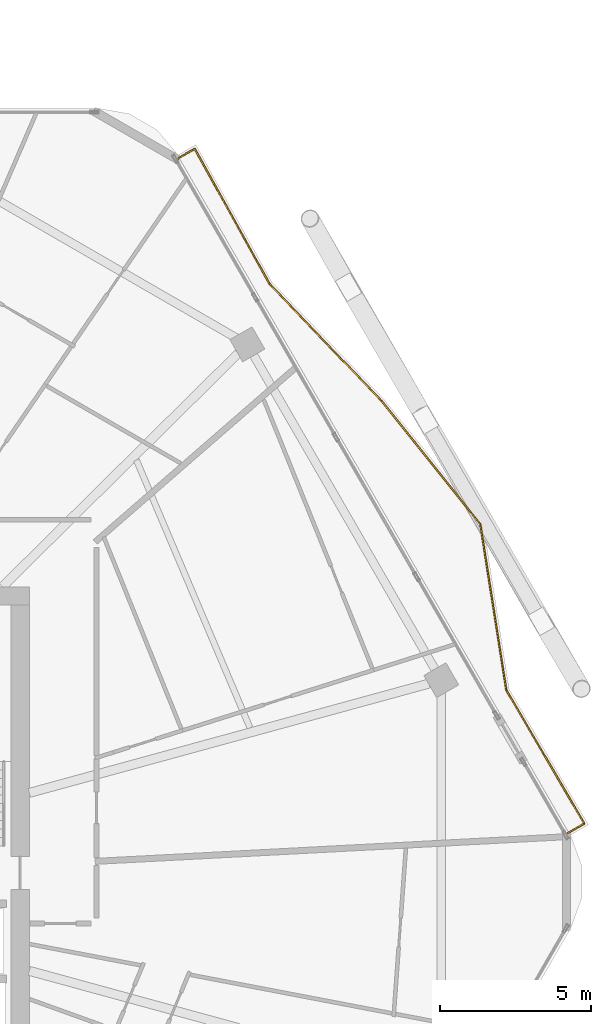
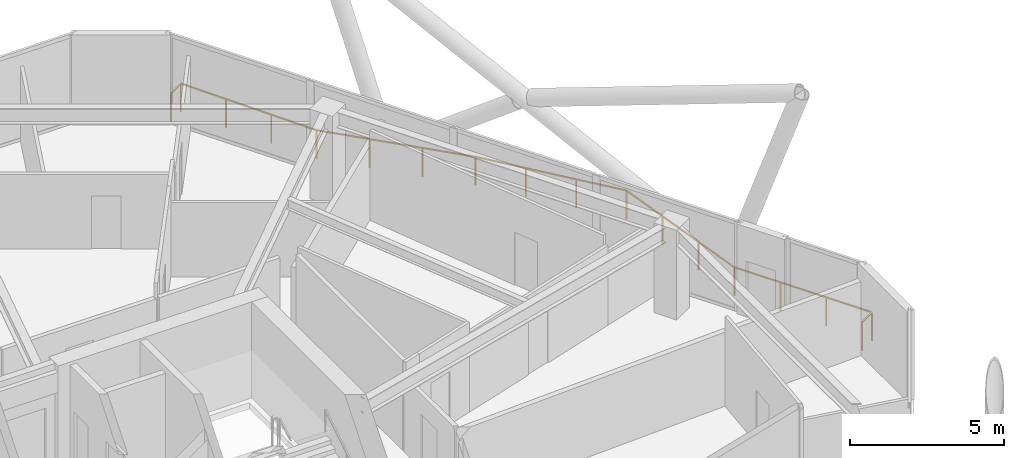
# One storey, part 28 of 28: 1 railing.
"""IFC4 building model written with IfcOpenShell, lengths in metres."""

from ifc_helpers import new_model, si_unit, direction, frame, origin, origin_2d, place, context, subcontext, project, spatial, rectangle, extrude, material, type_object, element, save


model = new_model("IFC4")

# Units and contexts
model_context = context("Model", 3, precision=1e-05, world=origin(), true_north=direction((0.0, 1.0)))
body_context = subcontext(model_context, "Body", "Model", "MODEL_VIEW")
ifc_project = project(units=[si_unit("LENGTHUNIT", "METRE"), si_unit("AREAUNIT", "SQUARE_METRE"), si_unit("VOLUMEUNIT", "CUBIC_METRE"), si_unit("PLANEANGLEUNIT", "RADIAN"), si_unit("MASSUNIT", "GRAM", prefix="KILO")], contexts=[model_context])

# Site, building, storey
site_placement = place(None, origin())
site = spatial("IfcSite", under=ifc_project, at=site_placement, CompositionType="ELEMENT")
building_placement = place(site_placement, origin())
building = spatial("IfcBuilding", under=site, at=building_placement, Name="Zuhravey Tower", CompositionType="ELEMENT")
storey_placement = place(building_placement, frame((0.0, 0.0, 284.39990234375)))
storey = spatial("IfcBuildingStorey", under=building, at=storey_placement, Name="L72", CompositionType="ELEMENT", Elevation=284.39990234375)

# Railing
ifc_material = material(Name="Stainless steel 316 and laminated glass", Category="steel")
railing_type = type_object("IfcRailingType", Name="Balcony & Terrace Guardrail 1150", PredefinedType="BALUSTRADE", material=ifc_material)
railing_placement = place(storey_placement, frame((51.74169921875, 56.031982421875, 0.0)))
element("IfcRailing", 1, at=railing_placement, inside=storey, type_object=railing_type, Name="L72 Face 1 Wave Balcony Guardrail GR1", PredefinedType="BALUSTRADE", context=body_context, shape_type="SweptSolid", body=[
    extrude(rectangle(XDim=0.048095703125, YDim=0.048095703125, at=origin_2d()), frame((0.001708984375, 0.0009765625, 1.1259765625), z_axis=(0.865949780596, 0.500130960335, 0.0), x_axis=(-0.500130960335, 0.865949780596, 0.0)), (0.0, 0.0, 1.0), 0.634033203125),
    extrude(rectangle(XDim=0.048095703125, YDim=0.048095703125, at=origin_2d()), frame((0.553466796875, 0.3173828125, 1.1259765625), z_axis=(0.484611915311, -0.874729267567, 0.0), x_axis=(0.874729267567, 0.484611915311, 0.0)), (0.0, 0.0, 1.0), 5.12451171875),
    extrude(rectangle(XDim=0.048095703125, YDim=0.048095703125, at=origin_2d()), frame((3.039306640625, -4.16845703125, 1.1259765625), z_axis=(0.691204095295, -0.722659600813, 0.0), x_axis=(0.722659600813, 0.691204095295, 0.0)), (0.0, 0.0, 1.0), 5.374755859375),
    extrude(rectangle(XDim=0.048095703125, YDim=0.048095703125, at=origin_2d()), frame((6.7568359375, -8.055419921875, 1.1259765625), z_axis=(0.625761293993, -0.780014617133, 0.0), x_axis=(0.780014617133, 0.625761293993, 0.0)), (0.0, 0.0, 1.0), 5.24267578125),
    extrude(rectangle(XDim=0.048095703125, YDim=0.048095703125, at=origin_2d()), frame((10.0390625, -12.1484375, 1.1259765625), z_axis=(0.154967768845, -0.987919526388, 0.0), x_axis=(0.987919526388, 0.154967768845, 0.0)), (0.0, 0.0, 1.0), 5.579345703125),
    extrude(rectangle(XDim=0.048095703125, YDim=0.048095703125, at=origin_2d()), frame((10.905029296875, -17.6640625, 1.1259765625), z_axis=(0.504589191185, -0.863359570596, 0.0), x_axis=(0.863359570596, 0.504589191185, 0.0)), (0.0, 0.0, 1.0), 5.131103515625),
    extrude(rectangle(XDim=0.048095703125, YDim=0.048095703125, at=origin_2d()), frame((13.493408203125, -22.0966796875, 1.1259765625), z_axis=(-0.86609656662, -0.499876722092, 0.0), x_axis=(0.499876722092, -0.86609656662, 0.0)), (0.0, 0.0, 1.0), 0.63525390625),
    extrude(rectangle(XDim=0.0419921875, YDim=0.0419921875, at=origin_2d()), origin(), (0.0, 0.0, 1.0), 1.099853515625),
    extrude(rectangle(XDim=0.0419921875, YDim=0.0419921875, at=origin_2d()), frame((0.552490234375, 0.319091796875, 0.0)), (0.0, 0.0, 1.0), 1.099853515625),
    extrude(rectangle(XDim=0.0419921875, YDim=0.0419921875, at=origin_2d()), frame((1.380859375, -1.17626953125, 0.0)), (0.0, 0.0, 1.0), 1.099853515625),
    extrude(rectangle(XDim=0.0419921875, YDim=0.0419921875, at=origin_2d()), frame((2.20947265625, -2.671630859375, 0.0)), (0.0, 0.0, 1.0), 1.099853515625),
    extrude(rectangle(XDim=0.0419921875, YDim=0.0419921875, at=origin_2d()), frame((3.037841796875, -4.1669921875, 0.0)), (0.0, 0.0, 1.0), 1.099853515625),
    extrude(rectangle(XDim=0.0419921875, YDim=0.0419921875, at=origin_2d()), frame((4.277099609375, -5.462646484375, 0.0)), (0.0, 0.0, 1.0), 1.099853515625),
    extrude(rectangle(XDim=0.0419921875, YDim=0.0419921875, at=origin_2d()), frame((5.516357421875, -6.75830078125, 0.0)), (0.0, 0.0, 1.0), 1.099853515625),
    extrude(rectangle(XDim=0.0419921875, YDim=0.0419921875, at=origin_2d()), frame((6.755615234375, -8.053955078125, 0.0)), (0.0, 0.0, 1.0), 1.099853515625),
    extrude(rectangle(XDim=0.0419921875, YDim=0.0419921875, at=origin_2d()), frame((7.85009765625, -9.418212890625, 0.0)), (0.0, 0.0, 1.0), 1.099853515625),
    extrude(rectangle(XDim=0.0419921875, YDim=0.0419921875, at=origin_2d()), frame((8.9443359375, -10.7822265625, 0.0)), (0.0, 0.0, 1.0), 1.099853515625),
    extrude(rectangle(XDim=0.0419921875, YDim=0.0419921875, at=origin_2d()), frame((10.038818359375, -12.146484375, 0.0)), (0.0, 0.0, 1.0), 1.099853515625),
    extrude(rectangle(XDim=0.0419921875, YDim=0.0419921875, at=origin_2d()), frame((10.3271484375, -13.985107421875, 0.0)), (0.0, 0.0, 1.0), 1.099853515625),
    extrude(rectangle(XDim=0.0419921875, YDim=0.0419921875, at=origin_2d()), frame((10.61572265625, -15.82373046875, 0.0)), (0.0, 0.0, 1.0), 1.099853515625),
    extrude(rectangle(XDim=0.0419921875, YDim=0.0419921875, at=origin_2d()), frame((10.904052734375, -17.662353515625, 0.0)), (0.0, 0.0, 1.0), 1.099853515625),
    extrude(rectangle(XDim=0.0419921875, YDim=0.0419921875, at=origin_2d()), frame((11.767822265625, -19.14013671875, 0.0)), (0.0, 0.0, 1.0), 1.099853515625),
    extrude(rectangle(XDim=0.0419921875, YDim=0.0419921875, at=origin_2d()), frame((12.63134765625, -20.617919921875, 0.0)), (0.0, 0.0, 1.0), 1.099853515625),
    extrude(rectangle(XDim=0.0419921875, YDim=0.0419921875, at=origin_2d()), frame((13.4951171875, -22.095703125, 0.0)), (0.0, 0.0, 1.0), 1.099853515625),
    extrude(rectangle(XDim=0.0419921875, YDim=0.0419921875, at=origin_2d()), frame((12.94140625, -22.415283203125, 0.0)), (0.0, 0.0, 1.0), 1.099853515625),
])

save(model, "model.ifc")
